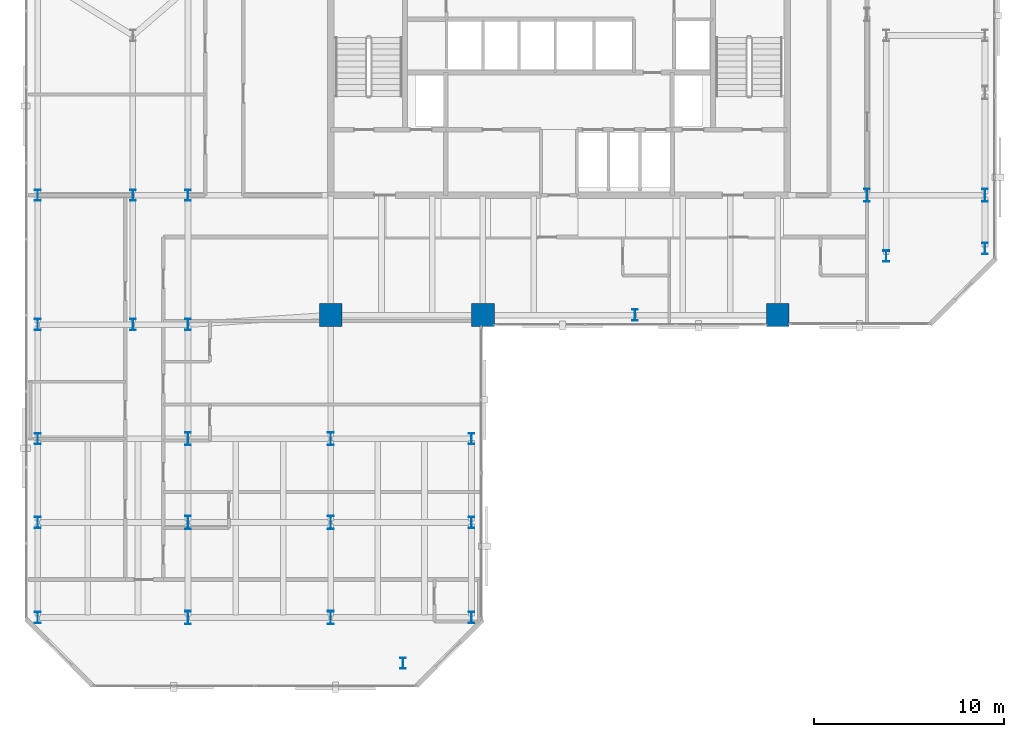
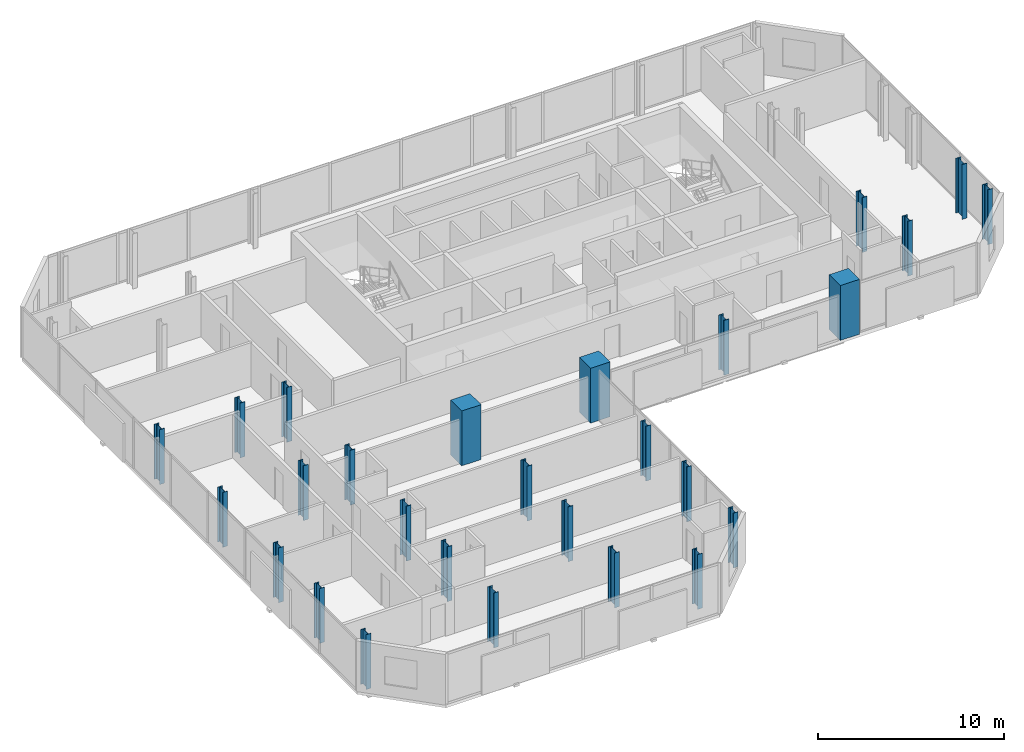
# One storey, part 1 of 32: 27 columns.
"""IFC4 building model written with IfcOpenShell, lengths in metres."""

import ifcopenshell
import ifcopenshell.guid

model = None  # the IFC model being written
_history = None  # IfcOwnerHistory: only IFC2X3 demands one
_inside = {}  # id of a spatial element -> (the spatial element, [elements in it])
_under = {}  # id of a project, library or spatial element -> (it, [spatial elements below it])
_declared = {}  # id of a project -> (the project, [libraries it declares])
_typed = {}  # id of a type object -> (the type object, [elements of that type])
_made_of = {}  # id of a material, layer set ... -> (it, [elements and type objects made of it])


def new_model(schema):
    """Start an empty IFC model of exactly this schema.

    Asked for "IFC4X3", IfcOpenShell would pick the latest addendum, in which some entities
    have other attributes; the version numbers below select the first issue.
    IFC2X3 requires an IfcOwnerHistory on every rooted entity: one is made here for all.
    """
    global model, _history
    if schema == "IFC4X3":
        model = ifcopenshell.file(schema_version=(4, 3, 0, 0))
    else:
        model = ifcopenshell.file(schema=schema)
    _inside.clear()
    _under.clear()
    _declared.clear()
    _typed.clear()
    _made_of.clear()
    _history = None
    if model.schema == "IFC2X3":
        org = make("IfcOrganization", Name="unknown")
        user = make(
            "IfcPersonAndOrganization",
            ThePerson=make("IfcPerson", FamilyName="unknown"),
            TheOrganization=org,
        )
        app = make(
            "IfcApplication",
            ApplicationDeveloper=org,
            Version="unknown",
            ApplicationFullName="unknown",
            ApplicationIdentifier="unknown",
        )
        _history = make(
            "IfcOwnerHistory",
            OwningUser=user,
            OwningApplication=app,
            ChangeAction="ADDED",
            CreationDate=0,
        )
    return model


def make(cls, **values):
    """One entity of the class cls with the attributes given. An attribute that is None is left unset."""
    return model.create_entity(
        cls, **{name: value for name, value in values.items() if value is not None}
    )


def rooted(cls, **values):
    """An entity with a GlobalId (a new one), such as an element, a storey or a relation."""
    return make(cls, GlobalId=ifcopenshell.guid.new(), OwnerHistory=_history, **values)


def si_unit(unit_type, name, prefix=None):
    """IfcSIUnit, for example si_unit("LENGTHUNIT", "METRE", prefix="MILLI")."""
    return make("IfcSIUnit", UnitType=unit_type, Prefix=prefix, Name=name)


def assignment(units):
    """IfcUnitAssignment: the units of a project."""
    return None if units is None else make("IfcUnitAssignment", Units=units)


def point(xyz):
    """IfcCartesianPoint."""
    return None if xyz is None else make("IfcCartesianPoint", Coordinates=xyz)


def direction(xyz):
    """IfcDirection."""
    return None if xyz is None else make("IfcDirection", DirectionRatios=xyz)


def frame(location, z_axis=None, x_axis=None):
    """IfcAxis2Placement3D, a coordinate frame: its origin and axes. An axis left out is left unset."""
    return make(
        "IfcAxis2Placement3D",
        Location=point(location),
        Axis=direction(z_axis),
        RefDirection=direction(x_axis),
    )


def frame_2d(location, x_axis=None):
    """IfcAxis2Placement2D, a coordinate frame in the plane: its origin and x axis."""
    return make(
        "IfcAxis2Placement2D", Location=point(location), RefDirection=direction(x_axis)
    )


def origin():
    """The frame at (0, 0, 0) with its axes left unset."""
    return frame((0.0, 0.0, 0.0))


def origin_2d():
    """The frame at (0, 0) in the plane with its x axis left unset."""
    return frame_2d((0.0, 0.0))


def place(relative_to, where):
    """IfcLocalPlacement: puts the frame where relative to a parent placement (None: the world)."""
    return make(
        "IfcLocalPlacement", PlacementRelTo=relative_to, RelativePlacement=where
    )


def context(
    kind, dimensions, precision=None, world=None, true_north=None, identifier=None
):
    """IfcGeometricRepresentationContext, for example the 3D "Model" context."""
    return make(
        "IfcGeometricRepresentationContext",
        ContextIdentifier=identifier,
        ContextType=kind,
        CoordinateSpaceDimension=dimensions,
        Precision=precision,
        WorldCoordinateSystem=world,
        TrueNorth=true_north,
    )


def subcontext(parent, identifier, kind, view, scale=None):
    """IfcGeometricRepresentationSubContext, for example "Body" below "Model"."""
    return make(
        "IfcGeometricRepresentationSubContext",
        ContextIdentifier=identifier,
        ContextType=kind,
        ParentContext=parent,
        TargetScale=scale,
        TargetView=view,
    )


def project(units=None, contexts=None):
    """IfcProject with its units and contexts."""
    return rooted(
        "IfcProject",
        Name="project",
        RepresentationContexts=contexts,
        UnitsInContext=assignment(units),
    )


def spatial(cls, under=None, at=None, **own):
    """A site, building, storey or space (cls), placed at a placement, below another one or the project."""
    s = rooted(cls, ObjectPlacement=at, **own)
    if under is not None:
        _under.setdefault(under.id(), (under, []))[1].append(s)
    return s


def profile(cls, at=None, kind="AREA", **sizes):
    """A parametric profile (cls). Its sizes go by their IFC names, for example OverallWidth=200.0."""
    return make(cls, ProfileType=kind, Position=at, **sizes)


def rectangle(**sizes):
    """IfcRectangleProfileDef."""
    return profile("IfcRectangleProfileDef", **sizes)


def i_section(**sizes):
    """IfcIShapeProfileDef."""
    return profile("IfcIShapeProfileDef", **sizes)


def extrude(swept, where, along, depth):
    """IfcExtrudedAreaSolid: the profile swept, set in the frame where, extruded along a direction by depth."""
    return make(
        "IfcExtrudedAreaSolid",
        SweptArea=swept,
        Position=where,
        ExtrudedDirection=direction(along),
        Depth=depth,
    )


def shape(context_of_items, identifier, shape_type, items):
    """IfcShapeRepresentation: the items that make up one representation, for example the "Body"."""
    return make(
        "IfcShapeRepresentation",
        ContextOfItems=context_of_items,
        RepresentationIdentifier=identifier,
        RepresentationType=shape_type,
        Items=items,
    )


def material(Name=None, Category=None):
    """IfcMaterial."""
    return make("IfcMaterial", Name=Name, Category=Category)


def material_profile(
    of_material, cross_section, Name=None, Category=None, Priority=None
):
    """IfcMaterialProfile: a cross section and its material."""
    return make(
        "IfcMaterialProfile",
        Name=Name,
        Material=of_material,
        Profile=cross_section,
        Priority=Priority,
        Category=Category,
    )


def profile_set(profiles, Name=None, composite=None):
    """IfcMaterialProfileSet."""
    return make(
        "IfcMaterialProfileSet",
        Name=Name,
        MaterialProfiles=profiles,
        CompositeProfile=composite,
    )


def made_of(thing, what):
    """Note that an element or type object is made of a material, layer set ...; save() writes the relation."""
    if what is not None:
        _made_of.setdefault(what.id(), (what, []))[1].append(thing)
    return thing


def type_object(cls, material=None, **own):
    """A type object (cls), such as IfcWallType, which elements share."""
    return made_of(rooted(cls, **own), material)


def element(
    cls,
    number,
    at=None,
    inside=None,
    cuts=None,
    type_object=None,
    material=None,
    context=None,
    identifier="Body",
    shape_type=None,
    held_by="IfcProductDefinitionShape",
    body=None,
    shapes=None,
    **own,
):
    """One element of the class cls, such as IfcWall. Its Tag is "e" and its number.

    at: its placement. inside: the storey or other place that contains it. cuts: it is an
    opening in that element (IfcRelVoidsElement). A single representation is given by context,
    identifier, shape_type and body (its items); several are given by shapes. held_by: the class
    of the entity that holds the representations. save() writes the other relations.
    """
    e = rooted(cls, Tag="e%d" % number, ObjectPlacement=at, **own)
    if body is not None:
        shapes = [shape(context, identifier, shape_type, body)]
    if shapes is not None:
        e.Representation = make(held_by, Representations=shapes)
    if inside is not None:
        _inside.setdefault(inside.id(), (inside, []))[1].append(e)
    if cuts is not None:
        rooted(
            "IfcRelVoidsElement", RelatingBuildingElement=cuts, RelatedOpeningElement=e
        )
    if type_object is not None:
        _typed.setdefault(type_object.id(), (type_object, []))[1].append(e)
    return made_of(e, material)


def aggregate(whole, parts):
    """IfcRelAggregates: a whole, such as a stair, and the parts it consists of."""
    return rooted("IfcRelAggregates", RelatingObject=whole, RelatedObjects=parts)


def save(model, path):
    """Write the relations noted so far, then the file.

    IfcRelAggregates (storeys below a building ...), IfcRelContainedInSpatialStructure (elements
    in a storey), IfcRelDefinesByType, IfcRelAssociatesMaterial and IfcRelDeclares: one each for
    every whole, place, type object, material and project.
    """
    for whole, parts in _under.values():
        aggregate(whole, parts)
    for where, things in _inside.values():
        rooted(
            "IfcRelContainedInSpatialStructure",
            RelatedElements=things,
            RelatingStructure=where,
        )
    for kind, things in _typed.values():
        rooted("IfcRelDefinesByType", RelatedObjects=things, RelatingType=kind)
    for what, things in _made_of.values():
        rooted("IfcRelAssociatesMaterial", RelatedObjects=things, RelatingMaterial=what)
    for by, libraries in _declared.values():
        rooted("IfcRelDeclares", RelatingContext=by, RelatedDefinitions=libraries)
    model.write(path)


model = new_model("IFC4")

# Units and contexts
model_context = context("Model", 3, precision=1e-05, world=origin(), true_north=direction((0.0, 1.0)))
body_context = subcontext(model_context, "Body", "Model", "MODEL_VIEW")
ifc_project = project(units=[si_unit("LENGTHUNIT", "METRE"), si_unit("AREAUNIT", "SQUARE_METRE"), si_unit("VOLUMEUNIT", "CUBIC_METRE"), si_unit("PLANEANGLEUNIT", "RADIAN"), si_unit("MASSUNIT", "GRAM", prefix="KILO")], contexts=[model_context])

# Site, building, storey
site_placement = place(None, origin())
site = spatial("IfcSite", under=ifc_project, at=site_placement, CompositionType="ELEMENT")
building_placement = place(site_placement, origin())
building = spatial("IfcBuilding", under=site, at=building_placement, Name="Catumbela Crestline Tower", CompositionType="ELEMENT")
storey_placement = place(building_placement, frame((0.0, 0.0, 122.4)))
storey = spatial("IfcBuildingStorey", under=building, at=storey_placement, Name="L31", CompositionType="ELEMENT", Elevation=122.4)

# Columns
ifc_material_1 = material(Name="Concrete C50/60", Category="concrete")
ifc_material_profile_1 = material_profile(ifc_material_1, rectangle(XDim=1.2, YDim=1.2, at=origin_2d()), Name="RC 1200x1200")
ifc_profile_set_1 = profile_set([ifc_material_profile_1], Name="Concrete C50/60")
column_type_1 = type_object("IfcColumnType", Name="C-RC1200-C50", PredefinedType="COLUMN", material=ifc_profile_set_1)
for number, where, z_axis, x_axis, name in (
    (1, (16.0, 24.5, 0.0), (0.0, 0.0, 1.0), (1.0, 0.0, 0.0), "L31 Column C-16-24 (RC 1200x1200)"),
    (2, (24.0, 24.5, 0.0), (0.0, 0.0, 1.0), (1.0, 0.0, 0.0), "L31 Column C-24-24 (RC 1200x1200)"),
    (3, (39.5, 24.5, 0.0), (0.0, 0.0, 1.0), (1.0, 0.0, 0.0), "L31 Column C-40-24 (RC 1200x1200)"),
):
    element("IfcColumn", number, at=place(storey_placement, frame(where, z_axis=z_axis, x_axis=x_axis)), inside=storey, type_object=column_type_1, Name=name, PredefinedType="COLUMN", context=body_context, shape_type="SweptSolid", body=[
        extrude(rectangle(XDim=1.2, YDim=1.2, at=origin_2d()), origin(), (0.0, 0.0, 1.0), 3.6),
    ])
ifc_material_2 = material(Name="Structural steel S460M", Category="steel")
ifc_material_profile_2 = material_profile(ifc_material_2, i_section(OverallWidth=0.3, OverallDepth=0.6, WebThickness=0.0155, FlangeThickness=0.03, FilletRadius=0.027, at=origin_2d()), Name="HEB 600")
ifc_profile_set_2 = profile_set([ifc_material_profile_2], Name="Structural steel S460M")
column_type_2 = type_object("IfcColumnType", Name="C-ST-HEB600", PredefinedType="COLUMN", material=ifc_profile_set_2)
for number, where, z_axis, x_axis, name in (
    (4, (8.5, 24.0, 0.0), (0.0, 0.0, 1.0), (1.0, 0.0, 0.0), "L31 Column C-08-24 (HEB 600)"),
    (5, (32.0, 24.5, 0.0), (0.0, 0.0, 1.0), (1.0, 0.0, 0.0), "L31 Column C-32-24 (HEB 600)"),
    (6, (5.6, 24.0, 0.0), (0.0, 0.0, 1.0), (1.0, 0.0, 0.0), "L31 Column C-05-24 (HEB 600)"),
    (7, (5.6, 30.8, 0.0), (0.0, 0.0, 1.0), (1.0, 0.0, 0.0), "L31 Column C-05-31 (HEB 600)"),
    (8, (8.5, 30.8, 0.0), (0.0, 0.0, 1.0), (1.0, 0.0, 0.0), "L31 Column C-08-31 (HEB 600)"),
    (9, (45.2, 27.6, 0.0), (0.0, 0.0, 1.0), (1.0, 0.0, 0.0), "L31 Column C-46-24 (HEB 600)"),
    (10, (0.6, 24.0, 0.0), (0.0, 0.0, 1.0), (1.0, 0.0, 0.0), "L31 Column C-00-24 (HEB 600)"),
    (11, (0.6, 30.8, 0.0), (0.0, 0.0, 1.0), (1.0, 0.0, 0.0), "L31 Column C-00-31 (HEB 600)"),
    (12, (50.4, 28.0, 0.0), (0.0, 0.0, 1.0), (1.0, 0.0, 0.0), "L31 Column C-51-24 (HEB 600)"),
    (13, (0.6, 8.6, 0.0), (0.0, 0.0, 1.0), (1.0, 0.0, 0.0), "L31 Column C-00-05 (HEB 600)"),
    (14, (0.6, 13.6, 0.0), (0.0, 0.0, 1.0), (1.0, 0.0, 0.0), "L31 Column C-00-10 (HEB 600)"),
    (15, (0.6, 18.0, 0.0), (0.0, 0.0, 1.0), (1.0, 0.0, 0.0), "L31 Column C-00-16 (HEB 600)"),
    (16, (19.8, 6.2, 0.0), (0.0, 0.0, 1.0), (1.0, 0.0, 0.0), "L31 Column C-24-05 (HEB 600)"),
    (17, (23.4, 8.6, 0.0), (0.0, 0.0, 1.0), (1.0, 0.0, 0.0), "L31 Column C-23-08 (HEB 600)"),
    (18, (23.4, 13.6, 0.0), (0.0, 0.0, 1.0), (1.0, 0.0, 0.0), "L31 Column C-24-10 (HEB 600)"),
    (19, (23.4, 18.0, 0.0), (0.0, 0.0, 1.0), (1.0, 0.0, 0.0), "L31 Column C-24-16 (HEB 600)"),
):
    element("IfcColumn", number, at=place(storey_placement, frame(where, z_axis=z_axis, x_axis=x_axis)), inside=storey, type_object=column_type_2, Name=name, PredefinedType="COLUMN", context=body_context, shape_type="SweptSolid", body=[
        extrude(i_section(OverallWidth=0.3, OverallDepth=0.6, WebThickness=0.0155, FlangeThickness=0.03, FilletRadius=0.027, at=origin_2d()), origin(), (0.0, 0.0, 1.0), 3.6),
    ])
ifc_material_profile_3 = material_profile(ifc_material_2, i_section(OverallWidth=0.3, OverallDepth=0.7, WebThickness=0.017, FlangeThickness=0.032, FilletRadius=0.027, at=origin_2d()), Name="HEB 700")
ifc_profile_set_3 = profile_set([ifc_material_profile_3], Name="Structural steel S460M")
column_type_3 = type_object("IfcColumnType", Name="C-ST-HEB700", PredefinedType="COLUMN", material=ifc_profile_set_3)
for number, where, z_axis, x_axis, name in (
    (20, (8.5, 8.6, 0.0), (0.0, 0.0, 1.0), (1.0, 0.0, 0.0), "L31 Column CT-05-05 (HEB 700)"),
    (21, (16.0, 8.6, 0.0), (0.0, 0.0, 1.0), (1.0, 0.0, 0.0), "L31 Column CT-14-05 (HEB 700)"),
    (22, (8.5, 13.6, 0.0), (0.0, 0.0, 1.0), (1.0, 0.0, 0.0), "L31 Column CT-05-10 (HEB 700)"),
    (23, (16.0, 13.6, 0.0), (0.0, 0.0, 1.0), (1.0, 0.0, 0.0), "L31 Column CT-14-10 (HEB 700)"),
    (24, (8.5, 18.0, 0.0), (0.0, 0.0, 1.0), (1.0, 0.0, 0.0), "L31 Column CT-05-16 (HEB 700)"),
    (25, (16.0, 18.0, 0.0), (0.0, 0.0, 1.0), (1.0, 0.0, 0.0), "L31 Column CT-14-16 (HEB 700)"),
    (26, (44.2, 30.8, 0.0), (0.0, 0.0, 1.0), (1.0, 0.0, 0.0), "L31 Column CT-46-31 (HEB 700)"),
    (27, (50.4, 30.8, 0.0), (0.0, 0.0, 1.0), (1.0, 0.0, 0.0), "L31 Column CT-51-31 (HEB 700)"),
):
    element("IfcColumn", number, at=place(storey_placement, frame(where, z_axis=z_axis, x_axis=x_axis)), inside=storey, type_object=column_type_3, Name=name, PredefinedType="COLUMN", context=body_context, shape_type="SweptSolid", body=[
        extrude(i_section(OverallWidth=0.3, OverallDepth=0.7, WebThickness=0.017, FlangeThickness=0.032, FilletRadius=0.027, at=origin_2d()), origin(), (0.0, 0.0, 1.0), 3.6),
    ])

save(model, "model.ifc")
